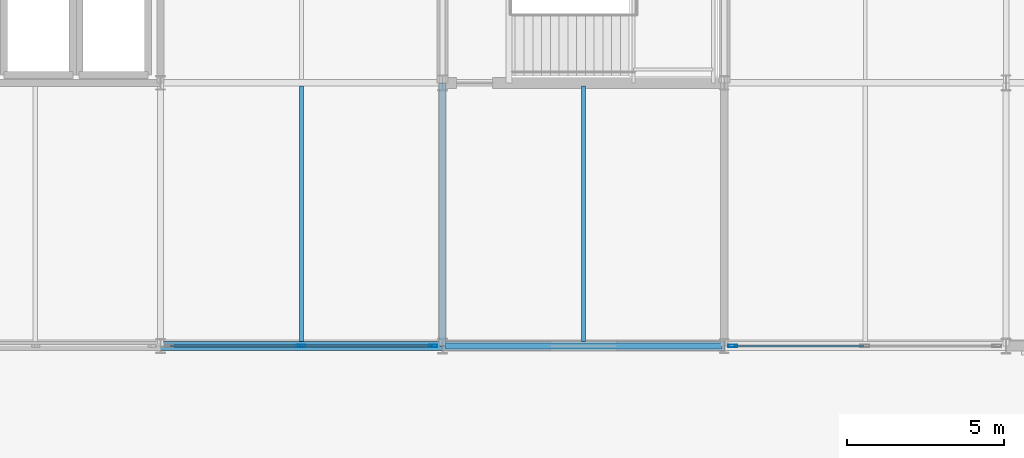
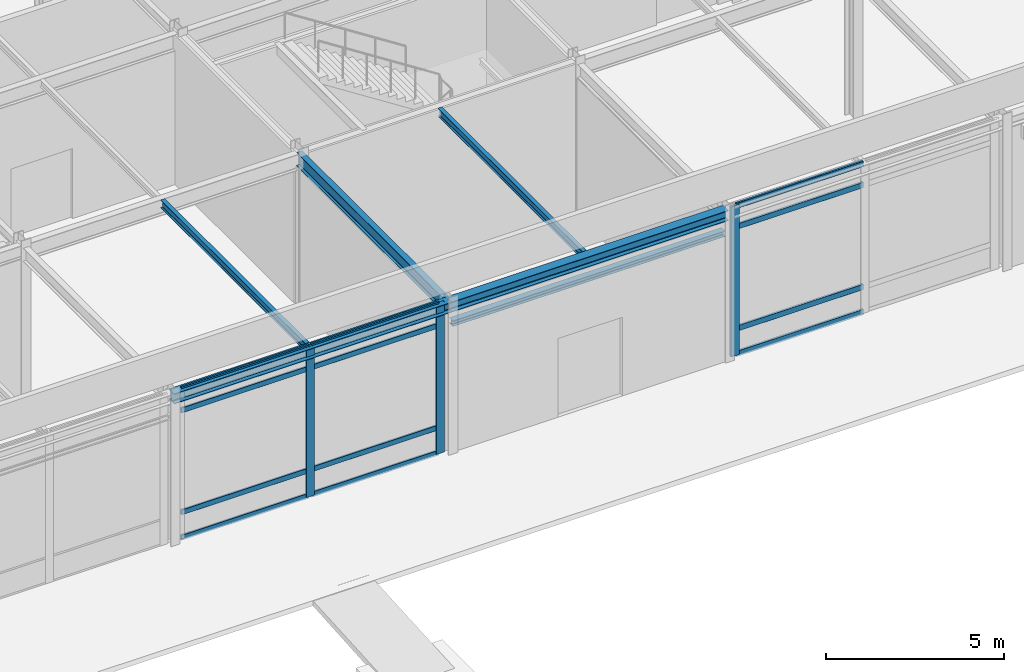
# One storey, part 43 of 89: 15 members, 6 beams, 2 elements without a shape of their own.
"""IFC4 building model written with IfcOpenShell, lengths in metres."""

import ifcopenshell
import ifcopenshell.guid

model = None  # the IFC model being written
_history = None  # IfcOwnerHistory: only IFC2X3 demands one
_inside = {}  # id of a spatial element -> (the spatial element, [elements in it])
_under = {}  # id of a project, library or spatial element -> (it, [spatial elements below it])
_declared = {}  # id of a project -> (the project, [libraries it declares])
_typed = {}  # id of a type object -> (the type object, [elements of that type])
_made_of = {}  # id of a material, layer set ... -> (it, [elements and type objects made of it])


def new_model(schema):
    """Start an empty IFC model of exactly this schema.

    Asked for "IFC4X3", IfcOpenShell would pick the latest addendum, in which some entities
    have other attributes; the version numbers below select the first issue.
    IFC2X3 requires an IfcOwnerHistory on every rooted entity: one is made here for all.
    """
    global model, _history
    if schema == "IFC4X3":
        model = ifcopenshell.file(schema_version=(4, 3, 0, 0))
    else:
        model = ifcopenshell.file(schema=schema)
    _inside.clear()
    _under.clear()
    _declared.clear()
    _typed.clear()
    _made_of.clear()
    _history = None
    if model.schema == "IFC2X3":
        org = make("IfcOrganization", Name="unknown")
        user = make(
            "IfcPersonAndOrganization",
            ThePerson=make("IfcPerson", FamilyName="unknown"),
            TheOrganization=org,
        )
        app = make(
            "IfcApplication",
            ApplicationDeveloper=org,
            Version="unknown",
            ApplicationFullName="unknown",
            ApplicationIdentifier="unknown",
        )
        _history = make(
            "IfcOwnerHistory",
            OwningUser=user,
            OwningApplication=app,
            ChangeAction="ADDED",
            CreationDate=0,
        )
    return model


def make(cls, **values):
    """One entity of the class cls with the attributes given. An attribute that is None is left unset."""
    return model.create_entity(
        cls, **{name: value for name, value in values.items() if value is not None}
    )


def rooted(cls, **values):
    """An entity with a GlobalId (a new one), such as an element, a storey or a relation."""
    return make(cls, GlobalId=ifcopenshell.guid.new(), OwnerHistory=_history, **values)


def si_unit(unit_type, name, prefix=None):
    """IfcSIUnit, for example si_unit("LENGTHUNIT", "METRE", prefix="MILLI")."""
    return make("IfcSIUnit", UnitType=unit_type, Prefix=prefix, Name=name)


def assignment(units):
    """IfcUnitAssignment: the units of a project."""
    return None if units is None else make("IfcUnitAssignment", Units=units)


def point(xyz):
    """IfcCartesianPoint."""
    return None if xyz is None else make("IfcCartesianPoint", Coordinates=xyz)


def direction(xyz):
    """IfcDirection."""
    return None if xyz is None else make("IfcDirection", DirectionRatios=xyz)


def frame(location, z_axis=None, x_axis=None):
    """IfcAxis2Placement3D, a coordinate frame: its origin and axes. An axis left out is left unset."""
    return make(
        "IfcAxis2Placement3D",
        Location=point(location),
        Axis=direction(z_axis),
        RefDirection=direction(x_axis),
    )


def frame_2d(location, x_axis=None):
    """IfcAxis2Placement2D, a coordinate frame in the plane: its origin and x axis."""
    return make(
        "IfcAxis2Placement2D", Location=point(location), RefDirection=direction(x_axis)
    )


def origin():
    """The frame at (0, 0, 0) with its axes left unset."""
    return frame((0.0, 0.0, 0.0))


def origin_2d():
    """The frame at (0, 0) in the plane with its x axis left unset."""
    return frame_2d((0.0, 0.0))


def place(relative_to, where):
    """IfcLocalPlacement: puts the frame where relative to a parent placement (None: the world)."""
    return make(
        "IfcLocalPlacement", PlacementRelTo=relative_to, RelativePlacement=where
    )


def context(
    kind, dimensions, precision=None, world=None, true_north=None, identifier=None
):
    """IfcGeometricRepresentationContext, for example the 3D "Model" context."""
    return make(
        "IfcGeometricRepresentationContext",
        ContextIdentifier=identifier,
        ContextType=kind,
        CoordinateSpaceDimension=dimensions,
        Precision=precision,
        WorldCoordinateSystem=world,
        TrueNorth=true_north,
    )


def subcontext(parent, identifier, kind, view, scale=None):
    """IfcGeometricRepresentationSubContext, for example "Body" below "Model"."""
    return make(
        "IfcGeometricRepresentationSubContext",
        ContextIdentifier=identifier,
        ContextType=kind,
        ParentContext=parent,
        TargetScale=scale,
        TargetView=view,
    )


def project(units=None, contexts=None):
    """IfcProject with its units and contexts."""
    return rooted(
        "IfcProject",
        Name="project",
        RepresentationContexts=contexts,
        UnitsInContext=assignment(units),
    )


def spatial(cls, under=None, at=None, **own):
    """A site, building, storey or space (cls), placed at a placement, below another one or the project."""
    s = rooted(cls, ObjectPlacement=at, **own)
    if under is not None:
        _under.setdefault(under.id(), (under, []))[1].append(s)
    return s


def profile(cls, at=None, kind="AREA", **sizes):
    """A parametric profile (cls). Its sizes go by their IFC names, for example OverallWidth=200.0."""
    return make(cls, ProfileType=kind, Position=at, **sizes)


def hollow_rectangle(**sizes):
    """IfcRectangleHollowProfileDef."""
    return profile("IfcRectangleHollowProfileDef", **sizes)


def i_section(**sizes):
    """IfcIShapeProfileDef."""
    return profile("IfcIShapeProfileDef", **sizes)


def extrude(swept, where, along, depth):
    """IfcExtrudedAreaSolid: the profile swept, set in the frame where, extruded along a direction by depth."""
    return make(
        "IfcExtrudedAreaSolid",
        SweptArea=swept,
        Position=where,
        ExtrudedDirection=direction(along),
        Depth=depth,
    )


def shape(context_of_items, identifier, shape_type, items):
    """IfcShapeRepresentation: the items that make up one representation, for example the "Body"."""
    return make(
        "IfcShapeRepresentation",
        ContextOfItems=context_of_items,
        RepresentationIdentifier=identifier,
        RepresentationType=shape_type,
        Items=items,
    )


def material(Name=None, Category=None):
    """IfcMaterial."""
    return make("IfcMaterial", Name=Name, Category=Category)


def layer(
    of_material, thickness, ventilated=None, Name=None, Category=None, Priority=None
):
    """IfcMaterialLayer: one layer of a wall or slab, of a material (None: an air gap)."""
    return make(
        "IfcMaterialLayer",
        Material=of_material,
        LayerThickness=thickness,
        IsVentilated=ventilated,
        Name=Name,
        Category=Category,
        Priority=Priority,
    )


def layer_set(layers, Name=None):
    """IfcMaterialLayerSet."""
    return make("IfcMaterialLayerSet", MaterialLayers=layers, LayerSetName=Name)


def material_profile(
    of_material, cross_section, Name=None, Category=None, Priority=None
):
    """IfcMaterialProfile: a cross section and its material."""
    return make(
        "IfcMaterialProfile",
        Name=Name,
        Material=of_material,
        Profile=cross_section,
        Priority=Priority,
        Category=Category,
    )


def profile_set(profiles, Name=None, composite=None):
    """IfcMaterialProfileSet."""
    return make(
        "IfcMaterialProfileSet",
        Name=Name,
        MaterialProfiles=profiles,
        CompositeProfile=composite,
    )


def made_of(thing, what):
    """Note that an element or type object is made of a material, layer set ...; save() writes the relation."""
    if what is not None:
        _made_of.setdefault(what.id(), (what, []))[1].append(thing)
    return thing


def type_object(cls, material=None, **own):
    """A type object (cls), such as IfcWallType, which elements share."""
    return made_of(rooted(cls, **own), material)


def element(
    cls,
    number,
    at=None,
    inside=None,
    cuts=None,
    type_object=None,
    material=None,
    context=None,
    identifier="Body",
    shape_type=None,
    held_by="IfcProductDefinitionShape",
    body=None,
    shapes=None,
    **own,
):
    """One element of the class cls, such as IfcWall. Its Tag is "e" and its number.

    at: its placement. inside: the storey or other place that contains it. cuts: it is an
    opening in that element (IfcRelVoidsElement). A single representation is given by context,
    identifier, shape_type and body (its items); several are given by shapes. held_by: the class
    of the entity that holds the representations. save() writes the other relations.
    """
    e = rooted(cls, Tag="e%d" % number, ObjectPlacement=at, **own)
    if body is not None:
        shapes = [shape(context, identifier, shape_type, body)]
    if shapes is not None:
        e.Representation = make(held_by, Representations=shapes)
    if inside is not None:
        _inside.setdefault(inside.id(), (inside, []))[1].append(e)
    if cuts is not None:
        rooted(
            "IfcRelVoidsElement", RelatingBuildingElement=cuts, RelatedOpeningElement=e
        )
    if type_object is not None:
        _typed.setdefault(type_object.id(), (type_object, []))[1].append(e)
    return made_of(e, material)


def aggregate(whole, parts):
    """IfcRelAggregates: a whole, such as a stair, and the parts it consists of."""
    return rooted("IfcRelAggregates", RelatingObject=whole, RelatedObjects=parts)


def save(model, path):
    """Write the relations noted so far, then the file.

    IfcRelAggregates (storeys below a building ...), IfcRelContainedInSpatialStructure (elements
    in a storey), IfcRelDefinesByType, IfcRelAssociatesMaterial and IfcRelDeclares: one each for
    every whole, place, type object, material and project.
    """
    for whole, parts in _under.values():
        aggregate(whole, parts)
    for where, things in _inside.values():
        rooted(
            "IfcRelContainedInSpatialStructure",
            RelatedElements=things,
            RelatingStructure=where,
        )
    for kind, things in _typed.values():
        rooted("IfcRelDefinesByType", RelatedObjects=things, RelatingType=kind)
    for what, things in _made_of.values():
        rooted("IfcRelAssociatesMaterial", RelatedObjects=things, RelatingMaterial=what)
    for by, libraries in _declared.values():
        rooted("IfcRelDeclares", RelatingContext=by, RelatedDefinitions=libraries)
    model.write(path)


model = new_model("IFC4")

# Units and contexts
model_context = context("Model", 3, precision=1e-05, world=origin(), true_north=direction((0.0, 1.0)))
body_context = subcontext(model_context, "Body", "Model", "MODEL_VIEW")
ifc_project = project(units=[si_unit("LENGTHUNIT", "METRE"), si_unit("AREAUNIT", "SQUARE_METRE"), si_unit("VOLUMEUNIT", "CUBIC_METRE"), si_unit("PLANEANGLEUNIT", "RADIAN"), si_unit("MASSUNIT", "GRAM", prefix="KILO")], contexts=[model_context])

# Site, building, storey
site_placement = place(None, origin())
site = spatial("IfcSite", under=ifc_project, at=site_placement, CompositionType="ELEMENT")
building_placement = place(site_placement, origin())
building = spatial("IfcBuilding", under=site, at=building_placement, Name="Shalkamar Park Central Library", CompositionType="ELEMENT")
storey_placement = place(building_placement, origin())
storey = spatial("IfcBuildingStorey", under=building, at=storey_placement, Name="L01", CompositionType="ELEMENT", Elevation=0.0)

# Beams
ifc_material_1 = material(Name="Steel S355", Category="steel")
ifc_material_profile_1 = material_profile(ifc_material_1, i_section(OverallWidth=0.135009765625, OverallDepth=0.27001953125, WebThickness=0.006591796875, FlangeThickness=0.01025390625, FilletRadius=0.014892578125, at=origin_2d()), Name="IPE 270")
ifc_profile_set_1 = profile_set([ifc_material_profile_1], Name="Steel S355")
beam_type_1 = type_object("IfcBeamType", Name="Composite Floor Joist IPE270", PredefinedType="JOIST", material=ifc_profile_set_1)
for number, where, z_axis, x_axis, name in (
    (1, (241.5, 240.14794921875, 5.0048828125), (0.0, 1.0, 0.0), (-1.0, 0.0, 0.0), "Composite Joist 16/A-1 (L01)"),
    (2, (250.5, 240.14794921875, 5.0048828125), (0.0, 1.0, 0.0), (-1.0, 0.0, 0.0), "Composite Joist 17/A-1 (L01)"),
):
    element("IfcBeam", number, at=place(storey_placement, frame(where, z_axis=z_axis, x_axis=x_axis)), inside=storey, type_object=beam_type_1, Name=name, PredefinedType="JOIST", context=body_context, shape_type="SweptSolid", body=[
        extrude(i_section(OverallWidth=0.135009765625, OverallDepth=0.27001953125, WebThickness=0.006591796875, FlangeThickness=0.01025390625, FilletRadius=0.014892578125, at=origin_2d()), origin(), (0.0, 0.0, 1.0), 8.149169921875),
    ])

# Curtain wall, members
ifc_material_2 = material(Name="Thermally broken aluminium and triple low-e curtain wall", Category="aluminium")
ifc_layer_1 = layer(ifc_material_2, 0.27001953125)
ifc_layer_set_1 = layer_set([ifc_layer_1], Name="UnitisedCurtainWall_02")
curtain_wall_type_1 = type_object("IfcCurtainWallType", Name="Unitised Curtain Wall 02", PredefinedType="USERDEFINED", material=ifc_layer_set_1)
curtain_wall_1_placement = place(storey_placement, origin())
curtain_wall_1 = element("IfcCurtainWall", 3, at=curtain_wall_1_placement, inside=storey, type_object=curtain_wall_type_1, Name="Unitised Curtain Wall CW-L01-002", ObjectType="UNITISED CURTAIN WALL", PredefinedType="USERDEFINED")
ifc_material_3 = material(Name="Aluminium 6060-T66", Category="aluminium")
ifc_material_profile_2 = material_profile(ifc_material_3, hollow_rectangle(XDim=0.080078125, YDim=0.27001953125, WallThickness=0.0048828125, InnerFilletRadius=0.0048828125, OuterFilletRadius=0.007568359375, at=origin_2d()), Name="ALU 80x270x5")
ifc_profile_set_2 = profile_set([ifc_material_profile_2], Name="Aluminium 6060-T66")
member_type_1 = type_object("IfcMemberType", Name="Curtain Wall Mullion ALU80x270", PredefinedType="MULLION", material=ifc_profile_set_2)
member_1_placement = place(storey_placement, frame((241.487548828125, 240.0, 0.0), z_axis=(0.0, 0.0, 1.0), x_axis=(0.0, 1.0, 0.0)))
member_1 = element("IfcMember", 4, at=member_1_placement, type_object=member_type_1, Name="CW-02 mullion 2", PredefinedType="MULLION", context=body_context, shape_type="SweptSolid", body=[
    extrude(hollow_rectangle(XDim=0.080078125, YDim=0.27001953125, WallThickness=0.0048828125, InnerFilletRadius=0.0048828125, OuterFilletRadius=0.007568359375, at=origin_2d()), origin(), (0.0, 0.0, 1.0), 5.14990234375),
])
member_2_placement = place(storey_placement, frame((245.7060546875, 240.0, 0.0), z_axis=(0.0, 0.0, 1.0), x_axis=(0.0, 1.0, 0.0)))
member_2 = element("IfcMember", 5, at=member_2_placement, type_object=member_type_1, Name="CW-02 mullion 3", PredefinedType="MULLION", context=body_context, shape_type="SweptSolid", body=[
    extrude(hollow_rectangle(XDim=0.080078125, YDim=0.27001953125, WallThickness=0.0048828125, InnerFilletRadius=0.0048828125, OuterFilletRadius=0.007568359375, at=origin_2d()), origin(), (0.0, 0.0, 1.0), 5.14990234375),
])

# Curtain wall, member
ifc_layer_2 = layer(ifc_material_2, 0.280029296875)
ifc_layer_set_2 = layer_set([ifc_layer_2], Name="UnitisedCurtainWall_03")
curtain_wall_type_2 = type_object("IfcCurtainWallType", Name="Unitised Curtain Wall 03", PredefinedType="USERDEFINED", material=ifc_layer_set_2)
curtain_wall_2_placement = place(storey_placement, origin())
curtain_wall_2 = element("IfcCurtainWall", 6, at=curtain_wall_2_placement, inside=storey, type_object=curtain_wall_type_2, Name="Unitised Curtain Wall CW-L01-003", ObjectType="UNITISED CURTAIN WALL", PredefinedType="USERDEFINED")
ifc_material_profile_3 = material_profile(ifc_material_3, hollow_rectangle(XDim=0.090087890625, YDim=0.280029296875, WallThickness=0.0048828125, InnerFilletRadius=0.0048828125, OuterFilletRadius=0.007568359375, at=origin_2d()), Name="ALU 90x280x5")
ifc_profile_set_3 = profile_set([ifc_material_profile_3], Name="Aluminium 6060-T66")
member_type_2 = type_object("IfcMemberType", Name="Curtain Wall Mullion ALU90x280", PredefinedType="MULLION", material=ifc_profile_set_3)
member_3_placement = place(storey_placement, frame((255.27392578125, 240.0, 0.0), z_axis=(0.0, 0.0, 1.0), x_axis=(0.0, 1.0, 0.0)))
member_3 = element("IfcMember", 7, at=member_3_placement, type_object=member_type_2, Name="CW-03 mullion 1", PredefinedType="MULLION", context=body_context, shape_type="SweptSolid", body=[
    extrude(hollow_rectangle(XDim=0.090087890625, YDim=0.280029296875, WallThickness=0.0048828125, InnerFilletRadius=0.0048828125, OuterFilletRadius=0.007568359375, at=origin_2d()), origin(), (0.0, 0.0, 1.0), 5.14990234375),
])

# Member
ifc_material_profile_4 = material_profile(ifc_material_3, hollow_rectangle(XDim=0.06494140625, YDim=0.175048828125, WallThickness=0.00439453125, InnerFilletRadius=0.00439453125, OuterFilletRadius=0.0068359375, at=origin_2d()), Name="ALU 65x175x4.5")
ifc_profile_set_4 = profile_set([ifc_material_profile_4], Name="Aluminium 6060-T66")
member_type_3 = type_object("IfcMemberType", Name="Curtain Wall Transom ALU65x175", PredefinedType="USERDEFINED", material=ifc_profile_set_4)
member_4_placement = place(storey_placement, frame((237.30908203125, 240.0, 0.032470703125), z_axis=(1.0, 0.0, 0.0), x_axis=(0.0, 1.0, 0.0)))
member_4 = element("IfcMember", 8, at=member_4_placement, type_object=member_type_3, Name="CW-02 transom 1.1", ObjectType="TRANSOM", PredefinedType="USERDEFINED", context=body_context, shape_type="SweptSolid", body=[
    extrude(hollow_rectangle(XDim=0.06494140625, YDim=0.175048828125, WallThickness=0.00439453125, InnerFilletRadius=0.00439453125, OuterFilletRadius=0.0068359375, at=origin_2d()), origin(), (0.0, 0.0, 1.0), 4.138427734375),
])

member_5_placement = place(storey_placement, frame((237.30908203125, 240.0, 0.89990234375), z_axis=(1.0, 0.0, 0.0), x_axis=(0.0, 1.0, 0.0)))
member_5 = element("IfcMember", 9, at=member_5_placement, type_object=member_type_3, Name="CW-02 transom 1.2", ObjectType="TRANSOM", PredefinedType="USERDEFINED", context=body_context, shape_type="SweptSolid", body=[
    extrude(hollow_rectangle(XDim=0.06494140625, YDim=0.175048828125, WallThickness=0.00439453125, InnerFilletRadius=0.00439453125, OuterFilletRadius=0.0068359375, at=origin_2d()), origin(), (0.0, 0.0, 1.0), 4.138427734375),
])

member_6_placement = place(storey_placement, frame((237.30908203125, 240.0, 4.39990234375), z_axis=(1.0, 0.0, 0.0), x_axis=(0.0, 1.0, 0.0)))
member_6 = element("IfcMember", 10, at=member_6_placement, type_object=member_type_3, Name="CW-02 transom 1.3", ObjectType="TRANSOM", PredefinedType="USERDEFINED", context=body_context, shape_type="SweptSolid", body=[
    extrude(hollow_rectangle(XDim=0.06494140625, YDim=0.175048828125, WallThickness=0.00439453125, InnerFilletRadius=0.00439453125, OuterFilletRadius=0.0068359375, at=origin_2d()), origin(), (0.0, 0.0, 1.0), 4.138427734375),
])

member_7_placement = place(storey_placement, frame((237.30908203125, 240.0, 5.117431640625), z_axis=(1.0, 0.0, 0.0), x_axis=(0.0, 1.0, 0.0)))
member_7 = element("IfcMember", 11, at=member_7_placement, type_object=member_type_3, Name="CW-02 transom 1.4", ObjectType="TRANSOM", PredefinedType="USERDEFINED", context=body_context, shape_type="SweptSolid", body=[
    extrude(hollow_rectangle(XDim=0.06494140625, YDim=0.175048828125, WallThickness=0.00439453125, InnerFilletRadius=0.00439453125, OuterFilletRadius=0.0068359375, at=origin_2d()), origin(), (0.0, 0.0, 1.0), 4.138427734375),
])

member_8_placement = place(storey_placement, frame((241.527587890625, 240.0, 0.032470703125), z_axis=(1.0, 0.0, 0.0), x_axis=(0.0, 1.0, 0.0)))
member_8 = element("IfcMember", 12, at=member_8_placement, type_object=member_type_3, Name="CW-02 transom 2.1", ObjectType="TRANSOM", PredefinedType="USERDEFINED", context=body_context, shape_type="SweptSolid", body=[
    extrude(hollow_rectangle(XDim=0.06494140625, YDim=0.175048828125, WallThickness=0.00439453125, InnerFilletRadius=0.00439453125, OuterFilletRadius=0.0068359375, at=origin_2d()), origin(), (0.0, 0.0, 1.0), 4.138427734375),
])

member_9_placement = place(storey_placement, frame((241.527587890625, 240.0, 0.89990234375), z_axis=(1.0, 0.0, 0.0), x_axis=(0.0, 1.0, 0.0)))
member_9 = element("IfcMember", 13, at=member_9_placement, type_object=member_type_3, Name="CW-02 transom 2.2", ObjectType="TRANSOM", PredefinedType="USERDEFINED", context=body_context, shape_type="SweptSolid", body=[
    extrude(hollow_rectangle(XDim=0.06494140625, YDim=0.175048828125, WallThickness=0.00439453125, InnerFilletRadius=0.00439453125, OuterFilletRadius=0.0068359375, at=origin_2d()), origin(), (0.0, 0.0, 1.0), 4.138427734375),
])

member_10_placement = place(storey_placement, frame((241.527587890625, 240.0, 4.39990234375), z_axis=(1.0, 0.0, 0.0), x_axis=(0.0, 1.0, 0.0)))
member_10 = element("IfcMember", 14, at=member_10_placement, type_object=member_type_3, Name="CW-02 transom 2.3", ObjectType="TRANSOM", PredefinedType="USERDEFINED", context=body_context, shape_type="SweptSolid", body=[
    extrude(hollow_rectangle(XDim=0.06494140625, YDim=0.175048828125, WallThickness=0.00439453125, InnerFilletRadius=0.00439453125, OuterFilletRadius=0.0068359375, at=origin_2d()), origin(), (0.0, 0.0, 1.0), 4.138427734375),
])

member_11_placement = place(storey_placement, frame((241.527587890625, 240.0, 5.117431640625), z_axis=(1.0, 0.0, 0.0), x_axis=(0.0, 1.0, 0.0)))
member_11 = element("IfcMember", 15, at=member_11_placement, type_object=member_type_3, Name="CW-02 transom 2.4", ObjectType="TRANSOM", PredefinedType="USERDEFINED", context=body_context, shape_type="SweptSolid", body=[
    extrude(hollow_rectangle(XDim=0.06494140625, YDim=0.175048828125, WallThickness=0.00439453125, InnerFilletRadius=0.00439453125, OuterFilletRadius=0.0068359375, at=origin_2d()), origin(), (0.0, 0.0, 1.0), 4.138427734375),
])

aggregate(curtain_wall_1, [member_1, member_2, member_4, member_5, member_6, member_7, member_8, member_9, member_10, member_11])

ifc_material_profile_5 = material_profile(ifc_material_3, hollow_rectangle(XDim=0.070068359375, YDim=0.18994140625, WallThickness=0.0048828125, InnerFilletRadius=0.0048828125, OuterFilletRadius=0.007568359375, at=origin_2d()), Name="ALU 70x190x5")
ifc_profile_set_5 = profile_set([ifc_material_profile_5], Name="Aluminium 6060-T66")
member_type_4 = type_object("IfcMemberType", Name="Curtain Wall Transom ALU70x190", PredefinedType="USERDEFINED", material=ifc_profile_set_5)
member_12_placement = place(storey_placement, frame((255.319091796875, 240.0, 0.034912109375), z_axis=(1.0, 0.0, 0.0), x_axis=(0.0, 1.0, 0.0)))
member_12 = element("IfcMember", 16, at=member_12_placement, type_object=member_type_4, Name="CW-03 transom 1.1", ObjectType="TRANSOM", PredefinedType="USERDEFINED", context=body_context, shape_type="SweptSolid", body=[
    extrude(hollow_rectangle(XDim=0.070068359375, YDim=0.18994140625, WallThickness=0.0048828125, InnerFilletRadius=0.0048828125, OuterFilletRadius=0.007568359375, at=origin_2d()), origin(), (0.0, 0.0, 1.0), 4.123291015625),
])

member_13_placement = place(storey_placement, frame((255.319091796875, 240.0, 0.89990234375), z_axis=(1.0, 0.0, 0.0), x_axis=(0.0, 1.0, 0.0)))
member_13 = element("IfcMember", 17, at=member_13_placement, type_object=member_type_4, Name="CW-03 transom 1.2", ObjectType="TRANSOM", PredefinedType="USERDEFINED", context=body_context, shape_type="SweptSolid", body=[
    extrude(hollow_rectangle(XDim=0.070068359375, YDim=0.18994140625, WallThickness=0.0048828125, InnerFilletRadius=0.0048828125, OuterFilletRadius=0.007568359375, at=origin_2d()), origin(), (0.0, 0.0, 1.0), 4.123291015625),
])

member_14_placement = place(storey_placement, frame((255.319091796875, 240.0, 4.39990234375), z_axis=(1.0, 0.0, 0.0), x_axis=(0.0, 1.0, 0.0)))
member_14 = element("IfcMember", 18, at=member_14_placement, type_object=member_type_4, Name="CW-03 transom 1.3", ObjectType="TRANSOM", PredefinedType="USERDEFINED", context=body_context, shape_type="SweptSolid", body=[
    extrude(hollow_rectangle(XDim=0.070068359375, YDim=0.18994140625, WallThickness=0.0048828125, InnerFilletRadius=0.0048828125, OuterFilletRadius=0.007568359375, at=origin_2d()), origin(), (0.0, 0.0, 1.0), 4.123291015625),
])

member_15_placement = place(storey_placement, frame((255.319091796875, 240.0, 5.114990234375), z_axis=(1.0, 0.0, 0.0), x_axis=(0.0, 1.0, 0.0)))
member_15 = element("IfcMember", 19, at=member_15_placement, type_object=member_type_4, Name="CW-03 transom 1.4", ObjectType="TRANSOM", PredefinedType="USERDEFINED", context=body_context, shape_type="SweptSolid", body=[
    extrude(hollow_rectangle(XDim=0.070068359375, YDim=0.18994140625, WallThickness=0.0048828125, InnerFilletRadius=0.0048828125, OuterFilletRadius=0.007568359375, at=origin_2d()), origin(), (0.0, 0.0, 1.0), 4.123291015625),
])

aggregate(curtain_wall_2, [member_3, member_12, member_13, member_14, member_15])

# Beams
ifc_material_profile_6 = material_profile(ifc_material_1, i_section(OverallWidth=0.199951171875, OverallDepth=0.18994140625, WebThickness=0.006591796875, FlangeThickness=0.010009765625, FilletRadius=0.01806640625, at=origin_2d()), Name="HEA 200")
ifc_profile_set_6 = profile_set([ifc_material_profile_6], Name="Steel S355")
beam_type_2 = type_object("IfcBeamType", Name="Opening Lintel Beam HEA200", PredefinedType="LINTEL", material=ifc_profile_set_6)
beam_1_placement = place(storey_placement, frame((246.080078125, 240.0, 4.35009765625), z_axis=(1.0, 0.0, 0.0), x_axis=(0.0, 1.0, 0.0)))
element("IfcBeam", 20, at=beam_1_placement, inside=storey, type_object=beam_type_2, Name="Opening Lintel L01-07", PredefinedType="LINTEL", context=body_context, shape_type="SweptSolid", body=[
    extrude(i_section(OverallWidth=0.199951171875, OverallDepth=0.18994140625, WebThickness=0.006591796875, FlangeThickness=0.010009765625, FilletRadius=0.01806640625, at=origin_2d()), origin(), (0.0, 0.0, 1.0), 8.83984375),
])
ifc_material_profile_7 = material_profile(ifc_material_1, i_section(OverallWidth=0.300048828125, OverallDepth=0.35009765625, WebThickness=0.010009765625, FlangeThickness=0.017578125, FilletRadius=0.027099609375, at=origin_2d()), Name="HEA 360")
ifc_profile_set_7 = profile_set([ifc_material_profile_7], Name="Steel S355")
beam_type_3 = type_object("IfcBeamType", Name="Perimeter Spandrel Beam HEA360", PredefinedType="SPANDREL", material=ifc_profile_set_7)
for number, where, z_axis, x_axis, name in (
    (21, (237.0, 240.0, 4.97509765625), (1.0, 0.0, 0.0), (0.0, 1.0, 0.0), "Beam A:16-17 (L01)"),
    (22, (246.0, 240.0, 4.97509765625), (1.0, 0.0, 0.0), (0.0, 1.0, 0.0), "Beam A:17-18 (L01)"),
):
    element("IfcBeam", number, at=place(storey_placement, frame(where, z_axis=z_axis, x_axis=x_axis)), inside=storey, type_object=beam_type_3, Name=name, PredefinedType="SPANDREL", context=body_context, shape_type="SweptSolid", body=[
        extrude(i_section(OverallWidth=0.300048828125, OverallDepth=0.35009765625, WebThickness=0.010009765625, FlangeThickness=0.017578125, FilletRadius=0.027099609375, at=origin_2d()), origin(), (0.0, 0.0, 1.0), 9.0),
    ])
ifc_material_profile_8 = material_profile(ifc_material_1, i_section(OverallWidth=0.18994140625, OverallDepth=0.449951171875, WebThickness=0.009521484375, FlangeThickness=0.0146484375, FilletRadius=0.02099609375, at=origin_2d()), Name="IPE 450")
ifc_profile_set_8 = profile_set([ifc_material_profile_8], Name="Steel S355")
beam_type_4 = type_object("IfcBeamType", Name="Primary Girder IPE450", PredefinedType="BEAM", material=ifc_profile_set_8)
beam_2_placement = place(storey_placement, frame((246.0, 240.0, 4.9150390625), z_axis=(0.0, 1.0, 0.0), x_axis=(-1.0, 0.0, 0.0)))
element("IfcBeam", 23, at=beam_2_placement, inside=storey, type_object=beam_type_4, Name="Beam 17:A-B (L01)", PredefinedType="BEAM", context=body_context, shape_type="SweptSolid", body=[
    extrude(i_section(OverallWidth=0.18994140625, OverallDepth=0.449951171875, WebThickness=0.009521484375, FlangeThickness=0.0146484375, FilletRadius=0.02099609375, at=origin_2d()), origin(), (0.0, 0.0, 1.0), 8.39990234375),
])

save(model, "model.ifc")
